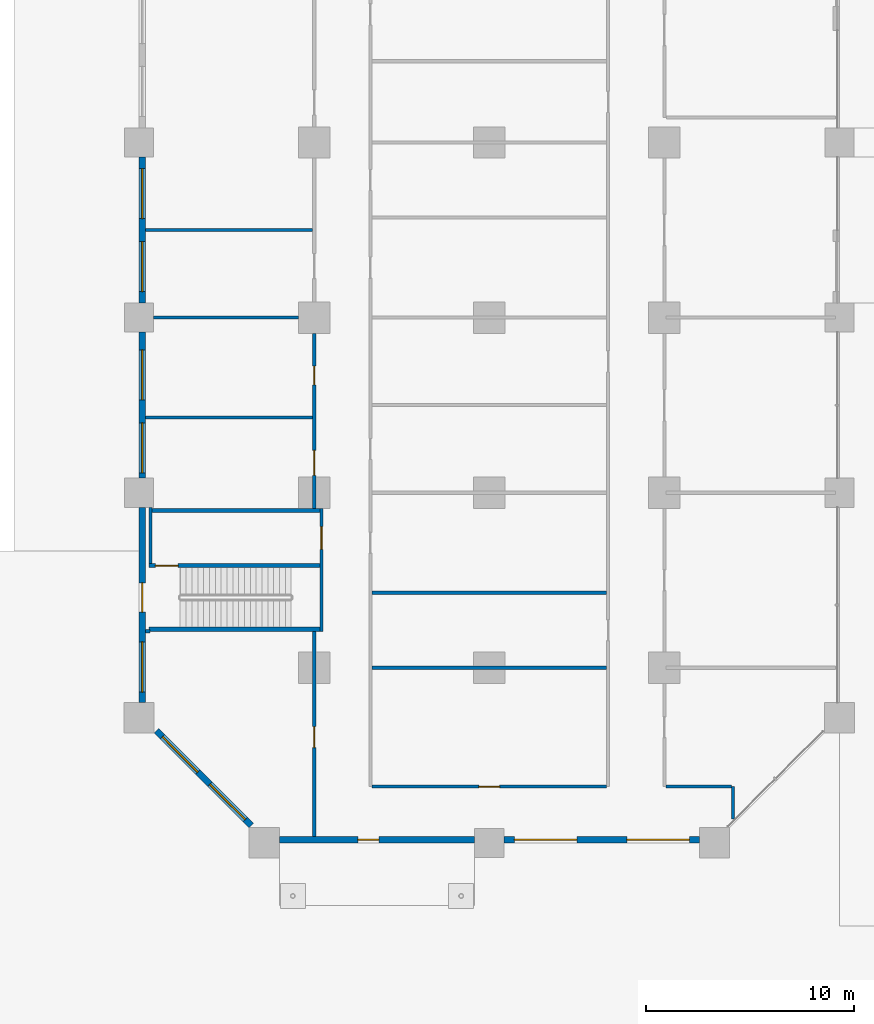
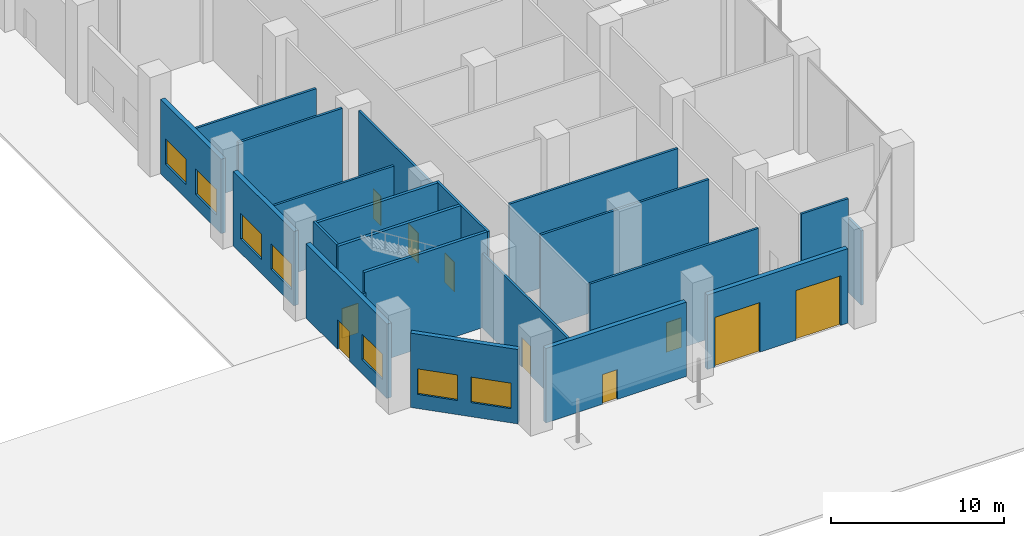
# One storey, part 14 of 32: 22 walls, 10 doors, 7 windows, 17 openings.
"""IFC4 building model written with IfcOpenShell, lengths in metres."""

from ifc_helpers import new_model, si_unit, direction, frame, frame_2d, origin, place, context, subcontext, project, spatial, rectangle, extrude, material, layer, layer_set, type_object, element, fill, save


model = new_model("IFC4")

# Units and contexts
model_context = context("Model", 3, precision=1e-05, world=origin(), true_north=direction((0.0, 1.0)))
body_context = subcontext(model_context, "Body", "Model", "MODEL_VIEW")
ifc_project = project(units=[si_unit("LENGTHUNIT", "METRE"), si_unit("AREAUNIT", "SQUARE_METRE"), si_unit("VOLUMEUNIT", "CUBIC_METRE"), si_unit("PLANEANGLEUNIT", "RADIAN"), si_unit("MASSUNIT", "GRAM", prefix="KILO")], contexts=[model_context])

# Site, building, storey
site_placement = place(None, origin())
site = spatial("IfcSite", under=ifc_project, at=site_placement, CompositionType="ELEMENT")
building_placement = place(site_placement, origin())
building = spatial("IfcBuilding", under=site, at=building_placement, Name="Kawkab Arch Medical Tower", CompositionType="ELEMENT")
storey_placement = place(building_placement, origin())
storey = spatial("IfcBuildingStorey", under=building, at=storey_placement, Name="L01", CompositionType="ELEMENT", Elevation=0.0)

# Wall, opening, door
ifc_material_1 = material(Name="Gypsum board partition on steel studs, mineral wool", Category="steel")
ifc_layer_1 = layer(ifc_material_1, 0.14990234375)
ifc_layer_set_1 = layer_set([ifc_layer_1], Name="Gypsum board partition on steel studs, mineral wool")
wall_type_1 = type_object("IfcWallType", Name="Partition 150", PredefinedType="PARTITIONING", material=ifc_layer_set_1)
wall_1_placement = place(storey_placement, frame((11.175048828125, -81.300048828125, 0.0), z_axis=(0.0, 0.0, 1.0), x_axis=(1.0, 0.0, 0.0)))
wall_1 = element("IfcWall", 1, at=wall_1_placement, inside=storey, type_object=wall_type_1, Name="Partition 150 w001", PredefinedType="PARTITIONING", context=body_context, shape_type="SweptSolid", body=[
    extrude(rectangle(XDim=11.25, YDim=0.14990234375, at=frame_2d((5.625, 0.0))), origin(), (0.0, 0.0, 1.0), 6.64990234375),
])
opening_1_placement = place(wall_1_placement, frame((5.125, 0.0, 0.0)))
opening_1 = element("IfcOpeningElement", 2, at=opening_1_placement, cuts=wall_1, Name="Opening P01-038", PredefinedType="OPENING", context=body_context, shape_type="SweptSolid", body=[
    extrude(rectangle(XDim=1.0, YDim=2.10009765625, at=frame_2d((0.5, 1.050048828125))), frame((0.0, 0.0849609375, 0.0), z_axis=(0.0, -1.0, 0.0), x_axis=(1.0, 0.0, 0.0)), (0.0, 0.0, 1.0), 0.169921875),
])
ifc_material_2 = material(Name="Hollow metal door leaf")
door_type_1 = type_object("IfcDoorType", Name="Single door 1000x2100 FD30S", OperationType="NOTDEFINED", PredefinedType="DOOR", material=ifc_material_2)
door_1_placement = place(opening_1_placement, origin())
door_1 = element("IfcDoor", 3, at=door_1_placement, inside=storey, type_object=door_type_1, Name="Door P01-038", OperationType="SINGLE_SWING_RIGHT", OverallHeight=2.10009765625, OverallWidth=1.0, PredefinedType="DOOR", context=body_context, shape_type="SweptSolid", body=[
    extrude(rectangle(XDim=1.0, YDim=2.10009765625, at=frame_2d((0.5, 1.050048828125))), frame((0.0, 0.02490234375, 0.0), z_axis=(0.0, -1.0, 0.0), x_axis=(1.0, 0.0, 0.0)), (0.0, 0.0, 1.0), 0.050048828125),
])
fill(opening_1, door_1)

# Walls
wall_2_placement = place(storey_placement, frame((25.27490234375, -81.300048828125, 0.0), z_axis=(0.0, 0.0, 1.0), x_axis=(1.0, 0.0, 0.0)))
element("IfcWall", 4, at=wall_2_placement, inside=storey, type_object=wall_type_1, Name="Partition 150 w002", PredefinedType="PARTITIONING", context=body_context, shape_type="SweptSolid", body=[
    extrude(rectangle(XDim=3.150146484375, YDim=0.14990234375, at=frame_2d((1.5751953125, 0.0))), origin(), (0.0, 0.0, 1.0), 6.64990234375),
])
wall_3_placement = place(storey_placement, frame((11.175048828125, -75.60009765625, 0.0), z_axis=(0.0, 0.0, 1.0), x_axis=(1.0, 0.0, 0.0)))
element("IfcWall", 5, at=wall_3_placement, inside=storey, type_object=wall_type_1, Name="Partition 150 w003", PredefinedType="PARTITIONING", context=body_context, shape_type="SweptSolid", body=[
    extrude(rectangle(XDim=11.25, YDim=0.14990234375, at=frame_2d((5.625, 0.0))), origin(), (0.0, 0.0, 1.0), 6.64990234375),
])
wall_4_placement = place(storey_placement, frame((0.300048828125, -73.85009765625, 0.0), z_axis=(0.0, 0.0, 1.0), x_axis=(1.0, 0.0, 0.0)))
element("IfcWall", 6, at=wall_4_placement, inside=storey, type_object=wall_type_1, Name="Partition 150 w005", PredefinedType="PARTITIONING", context=body_context, shape_type="SweptSolid", body=[
    extrude(rectangle(XDim=0.224853515625, YDim=0.14990234375, at=frame_2d((0.1123046875, 0.0))), origin(), (0.0, 0.0, 1.0), 5.25),
])
wall_5_placement = place(storey_placement, frame((11.175048828125, -72.0, 0.0), z_axis=(0.0, 0.0, 1.0), x_axis=(1.0, 0.0, 0.0)))
element("IfcWall", 7, at=wall_5_placement, inside=storey, type_object=wall_type_1, Name="Partition 150 w006", PredefinedType="PARTITIONING", context=body_context, shape_type="SweptSolid", body=[
    extrude(rectangle(XDim=11.25, YDim=0.14990234375, at=frame_2d((5.625, 0.0))), origin(), (0.0, 0.0, 1.0), 6.64990234375),
])
wall_6_placement = place(storey_placement, frame((0.300048828125, -63.60009765625, 0.0), z_axis=(0.0, 0.0, 1.0), x_axis=(1.0, 0.0, 0.0)))
element("IfcWall", 8, at=wall_6_placement, inside=storey, type_object=wall_type_1, Name="Partition 150 w009", PredefinedType="PARTITIONING", context=body_context, shape_type="SweptSolid", body=[
    extrude(rectangle(XDim=8.02490234375, YDim=0.14990234375, at=frame_2d((4.012451171875, 0.0))), origin(), (0.0, 0.0, 1.0), 5.25),
])
wall_7_placement = place(storey_placement, frame((0.699951171875, -58.800048828125, 0.0), z_axis=(0.0, 0.0, 1.0), x_axis=(1.0, 0.0, 0.0)))
element("IfcWall", 9, at=wall_7_placement, inside=storey, type_object=wall_type_1, Name="Partition 150 w011", PredefinedType="PARTITIONING", context=body_context, shape_type="SweptSolid", body=[
    extrude(rectangle(XDim=6.949951171875, YDim=0.14990234375, at=frame_2d((3.47509765625, 0.0))), origin(), (0.0, 0.0, 1.0), 6.64990234375),
])
wall_8_placement = place(storey_placement, frame((0.300048828125, -54.60009765625, 0.0), z_axis=(0.0, 0.0, 1.0), x_axis=(1.0, 0.0, 0.0)))
element("IfcWall", 10, at=wall_8_placement, inside=storey, type_object=wall_type_1, Name="Partition 150 w014", PredefinedType="PARTITIONING", context=body_context, shape_type="SweptSolid", body=[
    extrude(rectangle(XDim=8.02490234375, YDim=0.14990234375, at=frame_2d((4.012451171875, 0.0))), origin(), (0.0, 0.0, 1.0), 5.25),
])

# Wall, opening, door
wall_9_placement = place(storey_placement, frame((8.39990234375, -83.699951171875, 0.0), z_axis=(0.0, 0.0, 1.0), x_axis=(0.0, 1.0, 0.0)))
wall_9 = element("IfcWall", 11, at=wall_9_placement, inside=storey, type_object=wall_type_1, Name="Partition 150 w041", PredefinedType="PARTITIONING", context=body_context, shape_type="SweptSolid", body=[
    extrude(rectangle(XDim=9.849853515625, YDim=0.14990234375, at=frame_2d((4.9248046875, 0.0))), origin(), (0.0, 0.0, 1.0), 5.25),
])
opening_2_placement = place(wall_9_placement, frame((4.27490234375, 0.0, 0.0)))
opening_2 = element("IfcOpeningElement", 12, at=opening_2_placement, cuts=wall_9, Name="Opening P01-025", PredefinedType="OPENING", context=body_context, shape_type="SweptSolid", body=[
    extrude(rectangle(XDim=1.0, YDim=2.10009765625, at=frame_2d((0.5, 1.050048828125))), frame((0.0, 0.0849609375, 0.0), z_axis=(0.0, -1.0, 0.0), x_axis=(1.0, 0.0, 0.0)), (0.0, 0.0, 1.0), 0.169921875),
])
door_2_placement = place(opening_2_placement, origin())
door_2 = element("IfcDoor", 13, at=door_2_placement, inside=storey, type_object=door_type_1, Name="Door P01-025", OperationType="SINGLE_SWING_LEFT", OverallHeight=2.10009765625, OverallWidth=1.0, PredefinedType="DOOR", context=body_context, shape_type="SweptSolid", body=[
    extrude(rectangle(XDim=1.0, YDim=2.10009765625, at=frame_2d((0.5, 1.050048828125))), frame((0.0, 0.02490234375, 0.0), z_axis=(0.0, -1.0, 0.0), x_axis=(1.0, 0.0, 0.0)), (0.0, 0.0, 1.0), 0.050048828125),
])
fill(opening_2, door_2)

# Wall, openings, doors
wall_10_placement = place(storey_placement, frame((8.39990234375, -67.947021484375, 0.0), z_axis=(0.0, 0.0, 1.0), x_axis=(0.0, 1.0, 0.0)))
wall_10 = element("IfcWall", 14, at=wall_10_placement, inside=storey, type_object=wall_type_1, Name="Partition 150 w042", PredefinedType="PARTITIONING", context=body_context, shape_type="SweptSolid", body=[
    extrude(rectangle(XDim=8.39697265625, YDim=0.14990234375, at=frame_2d((4.198486328125, 0.0))), origin(), (0.0, 0.0, 1.0), 6.64990234375),
])
opening_3_placement = place(wall_10_placement, frame((5.922119140625, 0.0, 0.0)))
opening_3 = element("IfcOpeningElement", 15, at=opening_3_placement, cuts=wall_10, Name="Opening P01-016", PredefinedType="OPENING", context=body_context, shape_type="SweptSolid", body=[
    extrude(rectangle(XDim=0.89990234375, YDim=2.10009765625, at=frame_2d((0.449951171875, 1.050048828125))), frame((0.0, 0.0849609375, 0.0), z_axis=(0.0, -1.0, 0.0), x_axis=(1.0, 0.0, 0.0)), (0.0, 0.0, 1.0), 0.169921875),
])
opening_4_placement = place(wall_10_placement, frame((1.573974609375, 0.0, 0.0)))
opening_4 = element("IfcOpeningElement", 16, at=opening_4_placement, cuts=wall_10, Name="Opening P01-048", PredefinedType="OPENING", context=body_context, shape_type="SweptSolid", body=[
    extrude(rectangle(XDim=1.199951171875, YDim=2.10009765625, at=frame_2d((0.60009765625, 1.050048828125))), frame((0.0, 0.0849609375, 0.0), z_axis=(0.0, -1.0, 0.0), x_axis=(1.0, 0.0, 0.0)), (0.0, 0.0, 1.0), 0.169921875),
])
ifc_material_3 = material(Name="Hollow metal door leaf")
door_type_2 = type_object("IfcDoorType", Name="Single door 1200x2100 FD30S", OperationType="NOTDEFINED", PredefinedType="DOOR", material=ifc_material_3)
door_3_placement = place(opening_4_placement, origin())
door_3 = element("IfcDoor", 17, at=door_3_placement, inside=storey, type_object=door_type_2, Name="Door P01-048", OperationType="SINGLE_SWING_LEFT", OverallHeight=2.10009765625, OverallWidth=1.199951171875, PredefinedType="DOOR", context=body_context, shape_type="SweptSolid", body=[
    extrude(rectangle(XDim=1.199951171875, YDim=2.10009765625, at=frame_2d((0.60009765625, 1.050048828125))), frame((0.0, 0.02490234375, 0.0), z_axis=(0.0, -1.0, 0.0), x_axis=(1.0, 0.0, 0.0)), (0.0, 0.0, 1.0), 0.050048828125),
])
fill(opening_4, door_3)
ifc_material_4 = material(Name="Timber door leaf", Category="wood")
door_type_3 = type_object("IfcDoorType", Name="Single door 900x2100", OperationType="NOTDEFINED", PredefinedType="DOOR", material=ifc_material_4)
door_4_placement = place(opening_3_placement, origin())
door_4 = element("IfcDoor", 18, at=door_4_placement, inside=storey, type_object=door_type_3, Name="Door P01-016", OperationType="SINGLE_SWING_RIGHT", OverallHeight=2.10009765625, OverallWidth=0.89990234375, PredefinedType="DOOR", context=body_context, shape_type="SweptSolid", body=[
    extrude(rectangle(XDim=0.89990234375, YDim=2.10009765625, at=frame_2d((0.449951171875, 1.050048828125))), frame((0.0, 0.02490234375, 0.0), z_axis=(0.0, -1.0, 0.0), x_axis=(1.0, 0.0, 0.0)), (0.0, 0.0, 1.0), 0.050048828125),
])
fill(opening_3, door_4)

# Wall
wall_11_placement = place(storey_placement, frame((28.5, -82.844970703125, 0.0), z_axis=(0.0, 0.0, 1.0), x_axis=(0.0, 1.0, 0.0)))
element("IfcWall", 19, at=wall_11_placement, inside=storey, type_object=wall_type_1, Name="Partition 150 w050", PredefinedType="PARTITIONING", context=body_context, shape_type="SweptSolid", body=[
    extrude(rectangle(XDim=1.544921875, YDim=0.14990234375, at=frame_2d((0.7724609375, 0.0))), origin(), (0.0, 0.0, 1.0), 5.25),
])

# Wall, openings, windows
ifc_material_5 = material(Name="Bronze clad insulated wall panel")
ifc_layer_2 = layer(ifc_material_5, 0.300048828125)
ifc_layer_set_2 = layer_set([ifc_layer_2], Name="Bronze clad insulated wall panel")
wall_type_2 = type_object("IfcWallType", Name="Podium external wall 300", PredefinedType="SOLIDWALL", material=ifc_layer_set_2)
wall_12_placement = place(storey_placement, frame((0.14990234375, -51.10009765625, 0.0), z_axis=(0.0, 0.0, 1.0), x_axis=(0.0, -1.0, 0.0)))
wall_12 = element("IfcWall", 20, at=wall_12_placement, inside=storey, type_object=wall_type_2, Name="External wall L01 R11.6", PredefinedType="SOLIDWALL", context=body_context, shape_type="SweptSolid", body=[
    extrude(rectangle(XDim=7.0, YDim=0.300048828125, at=frame_2d((3.5, 0.0))), origin(), (0.0, 0.0, 1.0), 5.25),
])
opening_5_placement = place(wall_12_placement, frame((0.550048828125, 0.0, 1.0)))
opening_5 = element("IfcOpeningElement", 21, at=opening_5_placement, cuts=wall_12, Name="Opening PWN240-18-S10", PredefinedType="OPENING", context=body_context, shape_type="SweptSolid", body=[
    extrude(rectangle(XDim=2.39990234375, YDim=1.800048828125, at=frame_2d((1.199951171875, 0.89990234375))), frame((0.0, 0.159912109375, 0.0), z_axis=(0.0, -1.0, 0.0), x_axis=(1.0, 0.0, 0.0)), (0.0, 0.0, 1.0), 0.320068359375),
])
opening_6_placement = place(wall_12_placement, frame((4.050048828125, 0.0, 1.0)))
opening_6 = element("IfcOpeningElement", 22, at=opening_6_placement, cuts=wall_12, Name="Opening PWN240-18-S10", PredefinedType="OPENING", context=body_context, shape_type="SweptSolid", body=[
    extrude(rectangle(XDim=2.39990234375, YDim=1.800048828125, at=frame_2d((1.199951171875, 0.89990234375))), frame((0.0, 0.159912109375, 0.0), z_axis=(0.0, -1.0, 0.0), x_axis=(1.0, 0.0, 0.0)), (0.0, 0.0, 1.0), 0.320068359375),
])
ifc_material_6 = material(Name="Bronze anodised aluminium louvred window", Category="aluminium")
window_type = type_object("IfcWindowType", Name="Podium window 2400 x 1800 sill 1000", PartitioningType="DOUBLE_PANEL_VERTICAL", PredefinedType="WINDOW", material=ifc_material_6)
window_1_placement = place(opening_5_placement, origin())
window_1 = element("IfcWindow", 23, at=window_1_placement, inside=storey, type_object=window_type, Name="Window L01 R11.6.1", OverallHeight=1.800048828125, OverallWidth=2.39990234375, PartitioningType="SINGLE_PANEL", PredefinedType="WINDOW", context=body_context, shape_type="SweptSolid", body=[
    extrude(rectangle(XDim=2.39990234375, YDim=1.800048828125, at=frame_2d((1.199951171875, 0.89990234375))), frame((0.0, 0.030029296875, 0.0), z_axis=(0.0, -1.0, 0.0), x_axis=(1.0, 0.0, 0.0)), (0.0, 0.0, 1.0), 0.06005859375),
])
fill(opening_5, window_1)
window_2_placement = place(opening_6_placement, origin())
window_2 = element("IfcWindow", 24, at=window_2_placement, inside=storey, type_object=window_type, Name="Window L01 R11.6.2", OverallHeight=1.800048828125, OverallWidth=2.39990234375, PartitioningType="SINGLE_PANEL", PredefinedType="WINDOW", context=body_context, shape_type="SweptSolid", body=[
    extrude(rectangle(XDim=2.39990234375, YDim=1.800048828125, at=frame_2d((1.199951171875, 0.89990234375))), frame((0.0, 0.030029296875, 0.0), z_axis=(0.0, -1.0, 0.0), x_axis=(1.0, 0.0, 0.0)), (0.0, 0.0, 1.0), 0.06005859375),
])
fill(opening_6, window_2)

wall_13_placement = place(storey_placement, frame((0.14990234375, -59.5, 0.0), z_axis=(0.0, 0.0, 1.0), x_axis=(0.0, -1.0, 0.0)))
wall_13 = element("IfcWall", 25, at=wall_13_placement, inside=storey, type_object=wall_type_2, Name="External wall L01 R11.7", PredefinedType="SOLIDWALL", context=body_context, shape_type="SweptSolid", body=[
    extrude(rectangle(XDim=7.0, YDim=0.300048828125, at=frame_2d((3.5, 0.0))), origin(), (0.0, 0.0, 1.0), 5.25),
])
opening_7_placement = place(wall_13_placement, frame((0.85009765625, 0.0, 1.0)))
opening_7 = element("IfcOpeningElement", 26, at=opening_7_placement, cuts=wall_13, Name="Opening PWN240-18-S10", PredefinedType="OPENING", context=body_context, shape_type="SweptSolid", body=[
    extrude(rectangle(XDim=2.39990234375, YDim=1.800048828125, at=frame_2d((1.199951171875, 0.89990234375))), frame((0.0, 0.159912109375, 0.0), z_axis=(0.0, -1.0, 0.0), x_axis=(1.0, 0.0, 0.0)), (0.0, 0.0, 1.0), 0.320068359375),
])
opening_8_placement = place(wall_13_placement, frame((4.35009765625, 0.0, 1.0)))
opening_8 = element("IfcOpeningElement", 27, at=opening_8_placement, cuts=wall_13, Name="Opening PWN240-18-S10", PredefinedType="OPENING", context=body_context, shape_type="SweptSolid", body=[
    extrude(rectangle(XDim=2.39990234375, YDim=1.800048828125, at=frame_2d((1.199951171875, 0.89990234375))), frame((0.0, 0.159912109375, 0.0), z_axis=(0.0, -1.0, 0.0), x_axis=(1.0, 0.0, 0.0)), (0.0, 0.0, 1.0), 0.320068359375),
])
window_3_placement = place(opening_7_placement, origin())
window_3 = element("IfcWindow", 28, at=window_3_placement, inside=storey, type_object=window_type, Name="Window L01 R11.7.1", OverallHeight=1.800048828125, OverallWidth=2.39990234375, PartitioningType="SINGLE_PANEL", PredefinedType="WINDOW", context=body_context, shape_type="SweptSolid", body=[
    extrude(rectangle(XDim=2.39990234375, YDim=1.800048828125, at=frame_2d((1.199951171875, 0.89990234375))), frame((0.0, 0.030029296875, 0.0), z_axis=(0.0, -1.0, 0.0), x_axis=(1.0, 0.0, 0.0)), (0.0, 0.0, 1.0), 0.06005859375),
])
fill(opening_7, window_3)
window_4_placement = place(opening_8_placement, origin())
window_4 = element("IfcWindow", 29, at=window_4_placement, inside=storey, type_object=window_type, Name="Window L01 R11.7.2", OverallHeight=1.800048828125, OverallWidth=2.39990234375, PartitioningType="SINGLE_PANEL", PredefinedType="WINDOW", context=body_context, shape_type="SweptSolid", body=[
    extrude(rectangle(XDim=2.39990234375, YDim=1.800048828125, at=frame_2d((1.199951171875, 0.89990234375))), frame((0.0, 0.030029296875, 0.0), z_axis=(0.0, -1.0, 0.0), x_axis=(1.0, 0.0, 0.0)), (0.0, 0.0, 1.0), 0.06005859375),
])
fill(opening_8, window_4)

# Wall, openings, window, door
wall_14_placement = place(storey_placement, frame((0.14990234375, -67.89990234375, 0.0), z_axis=(0.0, 0.0, 1.0), x_axis=(0.0, -1.0, 0.0)))
wall_14 = element("IfcWall", 30, at=wall_14_placement, inside=storey, type_object=wall_type_2, Name="External wall L01 R11.8", PredefinedType="SOLIDWALL", context=body_context, shape_type="SweptSolid", body=[
    extrude(rectangle(XDim=9.375, YDim=0.300048828125, at=frame_2d((4.6875, 0.0))), origin(), (0.0, 0.0, 1.0), 5.25),
])
opening_9_placement = place(wall_14_placement, frame((3.625, 0.0, 0.0)))
opening_9 = element("IfcOpeningElement", 31, at=opening_9_placement, cuts=wall_14, Name="Opening P01-510", PredefinedType="OPENING", context=body_context, shape_type="SweptSolid", body=[
    extrude(rectangle(XDim=1.39990234375, YDim=2.10009765625, at=frame_2d((0.699951171875, 1.050048828125))), frame((0.0, 0.159912109375, 0.0), z_axis=(0.0, -1.0, 0.0), x_axis=(1.0, 0.0, 0.0)), (0.0, 0.0, 1.0), 0.320068359375),
])
opening_10_placement = place(wall_14_placement, frame((6.46240234375, 0.0, 1.0)))
opening_10 = element("IfcOpeningElement", 32, at=opening_10_placement, cuts=wall_14, Name="Opening PWN240-18-S10", PredefinedType="OPENING", context=body_context, shape_type="SweptSolid", body=[
    extrude(rectangle(XDim=2.39990234375, YDim=1.800048828125, at=frame_2d((1.199951171875, 0.89990234375))), frame((0.0, 0.159912109375, 0.0), z_axis=(0.0, -1.0, 0.0), x_axis=(1.0, 0.0, 0.0)), (0.0, 0.0, 1.0), 0.320068359375),
])
window_5_placement = place(opening_10_placement, origin())
window_5 = element("IfcWindow", 33, at=window_5_placement, inside=storey, type_object=window_type, Name="Window L01 R11.8.2", OverallHeight=1.800048828125, OverallWidth=2.39990234375, PartitioningType="SINGLE_PANEL", PredefinedType="WINDOW", context=body_context, shape_type="SweptSolid", body=[
    extrude(rectangle(XDim=2.39990234375, YDim=1.800048828125, at=frame_2d((1.199951171875, 0.89990234375))), frame((0.0, 0.030029296875, 0.0), z_axis=(0.0, -1.0, 0.0), x_axis=(1.0, 0.0, 0.0)), (0.0, 0.0, 1.0), 0.06005859375),
])
fill(opening_10, window_5)
ifc_material_7 = material(Name="Insulated steel door", Category="steel")
door_type_4 = type_object("IfcDoorType", Name="Stair discharge door 1400 x 2100", OperationType="DOUBLE_DOOR_SINGLE_SWING", PredefinedType="DOOR", material=ifc_material_7)
door_5_placement = place(opening_9_placement, frame((1.39990234375, 0.0, 0.0), z_axis=(0.0, 0.0, 1.0), x_axis=(-1.0, 0.0, 0.0)))
door_5 = element("IfcDoor", 34, at=door_5_placement, inside=storey, type_object=door_type_4, Name="Exit stair ST10 discharge", OperationType="DOUBLE_DOOR_SINGLE_SWING", OverallHeight=2.10009765625, OverallWidth=1.39990234375, PredefinedType="DOOR", context=body_context, shape_type="SweptSolid", body=[
    extrude(rectangle(XDim=1.39990234375, YDim=2.10009765625, at=frame_2d((0.699951171875, 1.050048828125))), frame((0.0, 0.02490234375, 0.0), z_axis=(0.0, -1.0, 0.0), x_axis=(1.0, 0.0, 0.0)), (0.0, 0.0, 1.0), 0.050048828125),
])
fill(opening_9, door_5)

# Wall, openings, windows
wall_15_placement = place(storey_placement, frame((0.8310546875, -78.618896484375, 0.0), z_axis=(0.0, 0.0, 1.0), x_axis=(0.707106781187, -0.707106781187, 0.0)))
wall_15 = element("IfcWall", 35, at=wall_15_placement, inside=storey, type_object=wall_type_2, Name="External wall L01 R12.1", PredefinedType="SOLIDWALL", context=body_context, shape_type="SweptSolid", body=[
    extrude(rectangle(XDim=6.434814453125, YDim=0.300048828125, at=frame_2d((3.21728515625, 0.0))), origin(), (0.0, 0.0, 1.0), 5.25),
])
opening_11_placement = place(wall_15_placement, frame((0.40869140625, 0.0, 1.0)))
opening_11 = element("IfcOpeningElement", 36, at=opening_11_placement, cuts=wall_15, Name="Opening PWN240-18-S10", PredefinedType="OPENING", context=body_context, shape_type="SweptSolid", body=[
    extrude(rectangle(XDim=2.39990234375, YDim=1.800048828125, at=frame_2d((1.199951171875, 0.89990234375))), frame((0.0, 0.159912109375, 0.0), z_axis=(0.0, -1.0, 0.0), x_axis=(1.0, 0.0, 0.0)), (0.0, 0.0, 1.0), 0.320068359375),
])
opening_12_placement = place(wall_15_placement, frame((3.6259765625, 0.0, 1.0)))
opening_12 = element("IfcOpeningElement", 37, at=opening_12_placement, cuts=wall_15, Name="Opening PWN240-18-S10", PredefinedType="OPENING", context=body_context, shape_type="SweptSolid", body=[
    extrude(rectangle(XDim=2.39990234375, YDim=1.800048828125, at=frame_2d((1.199951171875, 0.89990234375))), frame((0.0, 0.159912109375, 0.0), z_axis=(0.0, -1.0, 0.0), x_axis=(1.0, 0.0, 0.0)), (0.0, 0.0, 1.0), 0.320068359375),
])
window_6_placement = place(opening_11_placement, origin())
window_6 = element("IfcWindow", 38, at=window_6_placement, inside=storey, type_object=window_type, Name="Window L01 R12.1.1", OverallHeight=1.800048828125, OverallWidth=2.39990234375, PartitioningType="SINGLE_PANEL", PredefinedType="WINDOW", context=body_context, shape_type="SweptSolid", body=[
    extrude(rectangle(XDim=2.39990234375, YDim=1.800048828125, at=frame_2d((1.199951171875, 0.89990234375))), frame((0.0, 0.030029296875, 0.0), z_axis=(0.0, -1.0, 0.0), x_axis=(1.0, 0.0, 0.0)), (0.0, 0.0, 1.0), 0.06005859375),
])
fill(opening_11, window_6)
window_7_placement = place(opening_12_placement, origin())
window_7 = element("IfcWindow", 39, at=window_7_placement, inside=storey, type_object=window_type, Name="Window L01 R12.1.2", OverallHeight=1.800048828125, OverallWidth=2.39990234375, PartitioningType="SINGLE_PANEL", PredefinedType="WINDOW", context=body_context, shape_type="SweptSolid", body=[
    extrude(rectangle(XDim=2.39990234375, YDim=1.800048828125, at=frame_2d((1.199951171875, 0.89990234375))), frame((0.0, 0.030029296875, 0.0), z_axis=(0.0, -1.0, 0.0), x_axis=(1.0, 0.0, 0.0)), (0.0, 0.0, 1.0), 0.06005859375),
])
fill(opening_12, window_7)

# Wall, opening, door
wall_16_placement = place(storey_placement, frame((6.72509765625, -83.85009765625, 0.0), z_axis=(0.0, 0.0, 1.0), x_axis=(1.0, 0.0, 0.0)))
wall_16 = element("IfcWall", 40, at=wall_16_placement, inside=storey, type_object=wall_type_2, Name="External wall L01 R13.1", PredefinedType="SOLIDWALL", context=body_context, shape_type="SweptSolid", body=[
    extrude(rectangle(XDim=9.375, YDim=0.300048828125, at=frame_2d((4.6875, 0.0))), origin(), (0.0, 0.0, 1.0), 5.25),
])
opening_13_placement = place(wall_16_placement, frame((3.77490234375, 0.0, 0.0)))
opening_13 = element("IfcOpeningElement", 41, at=opening_13_placement, cuts=wall_16, Name="Opening P01-511", PredefinedType="OPENING", context=body_context, shape_type="SweptSolid", body=[
    extrude(rectangle(XDim=1.0, YDim=2.10009765625, at=frame_2d((0.5, 1.050048828125))), frame((0.0, 0.159912109375, 0.0), z_axis=(0.0, -1.0, 0.0), x_axis=(1.0, 0.0, 0.0)), (0.0, 0.0, 1.0), 0.320068359375),
])
ifc_material_8 = material(Name="Insulated steel door", Category="steel")
door_type_5 = type_object("IfcDoorType", Name="Staff entrance door 1000 x 2100", OperationType="SINGLE_SWING_LEFT", PredefinedType="DOOR", material=ifc_material_8)
door_6_placement = place(opening_13_placement, origin())
door_6 = element("IfcDoor", 42, at=door_6_placement, inside=storey, type_object=door_type_5, Name="Staff entrance", OperationType="SINGLE_SWING_LEFT", OverallHeight=2.10009765625, OverallWidth=1.0, PredefinedType="DOOR", context=body_context, shape_type="SweptSolid", body=[
    extrude(rectangle(XDim=1.0, YDim=2.10009765625, at=frame_2d((0.5, 1.050048828125))), frame((0.0, 0.02490234375, 0.0), z_axis=(0.0, -1.0, 0.0), x_axis=(1.0, 0.0, 0.0)), (0.0, 0.0, 1.0), 0.050048828125),
])
fill(opening_13, door_6)

# Wall, openings, doors
wall_17_placement = place(storey_placement, frame((17.5, -83.85009765625, 0.0), z_axis=(0.0, 0.0, 1.0), x_axis=(1.0, 0.0, 0.0)))
wall_17 = element("IfcWall", 43, at=wall_17_placement, inside=storey, type_object=wall_type_2, Name="External wall L01 R13.2", PredefinedType="SOLIDWALL", context=body_context, shape_type="SweptSolid", body=[
    extrude(rectangle(XDim=9.375, YDim=0.300048828125, at=frame_2d((4.6875, 0.0))), origin(), (0.0, 0.0, 1.0), 5.25),
])
opening_14_placement = place(wall_17_placement, frame((0.5, 0.0, 0.0)))
opening_14 = element("IfcOpeningElement", 44, at=opening_14_placement, cuts=wall_17, Name="Opening P01-512", PredefinedType="OPENING", context=body_context, shape_type="SweptSolid", body=[
    extrude(rectangle(XDim=3.0, YDim=3.5, at=frame_2d((1.5, 1.75))), frame((0.0, 0.159912109375, 0.0), z_axis=(0.0, -1.0, 0.0), x_axis=(1.0, 0.0, 0.0)), (0.0, 0.0, 1.0), 0.320068359375),
])
opening_15_placement = place(wall_17_placement, frame((5.89990234375, 0.0, 0.0)))
opening_15 = element("IfcOpeningElement", 45, at=opening_15_placement, cuts=wall_17, Name="Opening P01-513", PredefinedType="OPENING", context=body_context, shape_type="SweptSolid", body=[
    extrude(rectangle(XDim=3.0, YDim=3.5, at=frame_2d((1.5, 1.75))), frame((0.0, 0.159912109375, 0.0), z_axis=(0.0, -1.0, 0.0), x_axis=(1.0, 0.0, 0.0)), (0.0, 0.0, 1.0), 0.320068359375),
])
ifc_material_9 = material(Name="Insulated steel door", Category="steel")
door_type_6 = type_object("IfcDoorType", Name="Loading dock door 3000 x 3500", OperationType="ROLLINGUP", PredefinedType="DOOR", material=ifc_material_9)
door_7_placement = place(opening_14_placement, origin())
door_7 = element("IfcDoor", 46, at=door_7_placement, inside=storey, type_object=door_type_6, Name="Goods entrance and loading dock 1", OperationType="ROLLINGUP", OverallHeight=3.5, OverallWidth=3.0, PredefinedType="DOOR", context=body_context, shape_type="SweptSolid", body=[
    extrude(rectangle(XDim=3.0, YDim=3.5, at=frame_2d((1.5, 1.75))), frame((0.0, 0.02490234375, 0.0), z_axis=(0.0, -1.0, 0.0), x_axis=(1.0, 0.0, 0.0)), (0.0, 0.0, 1.0), 0.050048828125),
])
fill(opening_14, door_7)
door_8_placement = place(opening_15_placement, origin())
door_8 = element("IfcDoor", 47, at=door_8_placement, inside=storey, type_object=door_type_6, Name="Goods entrance and loading dock 2", OperationType="ROLLINGUP", OverallHeight=3.5, OverallWidth=3.0, PredefinedType="DOOR", context=body_context, shape_type="SweptSolid", body=[
    extrude(rectangle(XDim=3.0, YDim=3.5, at=frame_2d((1.5, 1.75))), frame((0.0, 0.02490234375, 0.0), z_axis=(0.0, -1.0, 0.0), x_axis=(1.0, 0.0, 0.0)), (0.0, 0.0, 1.0), 0.050048828125),
])
fill(opening_15, door_8)

# Wall
ifc_material_10 = material(Name="Concrete C50/60", Category="concrete")
ifc_layer_3 = layer(ifc_material_10, 0.14990234375)
ifc_layer_set_3 = layer_set([ifc_layer_3], Name="Concrete C50/60")
wall_type_3 = type_object("IfcWallType", Name="Stair enclosure wall 150 C50/60", PredefinedType="SHEAR", material=ifc_layer_set_3)
wall_18_placement = place(storey_placement, frame((0.550048828125, -70.60009765625, 0.0), z_axis=(0.0, 0.0, 1.0), x_axis=(0.0, 1.0, 0.0)))
element("IfcWall", 48, at=wall_18_placement, inside=storey, type_object=wall_type_3, Name="L01 stair enclosure wall", PredefinedType="SHEAR", context=body_context, shape_type="SweptSolid", body=[
    extrude(rectangle(XDim=2.7001953125, YDim=0.14990234375, at=frame_2d((1.35009765625, 0.0))), origin(), (0.0, 0.0, 1.0), 6.64990234375),
])

# Wall, opening, door
wall_19_placement = place(storey_placement, frame((8.75, -73.85009765625, 0.0), z_axis=(0.0, 0.0, 1.0), x_axis=(0.0, 1.0, 0.0)))
wall_19 = element("IfcWall", 49, at=wall_19_placement, inside=storey, type_object=wall_type_3, Name="L01 stair enclosure wall", PredefinedType="SHEAR", context=body_context, shape_type="SweptSolid", body=[
    extrude(rectangle(XDim=5.900146484375, YDim=0.14990234375, at=frame_2d((2.9501953125, 0.0))), origin(), (0.0, 0.0, 1.0), 6.64990234375),
])
opening_16_placement = place(wall_19_placement, frame((3.925048828125, 0.0, 0.0)))
opening_16 = element("IfcOpeningElement", 50, at=opening_16_placement, cuts=wall_19, Name="Opening SD", PredefinedType="OPENING", context=body_context, shape_type="SweptSolid", body=[
    extrude(rectangle(XDim=1.10009765625, YDim=2.10009765625, at=frame_2d((0.550048828125, 1.050048828125))), frame((0.0, 0.0849609375, 0.0), z_axis=(0.0, -1.0, 0.0), x_axis=(1.0, 0.0, 0.0)), (0.0, 0.0, 1.0), 0.169921875),
])
ifc_material_11 = material(Name="Hollow metal fire door leaf")
door_type_7 = type_object("IfcDoorType", Name="Exit stair door 1100", OperationType="SINGLE_SWING_LEFT", PredefinedType="DOOR", material=ifc_material_11)
door_9_placement = place(opening_16_placement, origin())
door_9 = element("IfcDoor", 51, at=door_9_placement, inside=storey, type_object=door_type_7, Name="L01 Exit stair ST10 lobby door", OperationType="SINGLE_SWING_LEFT", OverallHeight=2.10009765625, OverallWidth=1.10009765625, PredefinedType="DOOR", context=body_context, shape_type="SweptSolid", body=[
    extrude(rectangle(XDim=1.10009765625, YDim=2.10009765625, at=frame_2d((0.550048828125, 1.050048828125))), frame((0.0, 0.02490234375, 0.0), z_axis=(0.0, -1.0, 0.0), x_axis=(1.0, 0.0, 0.0)), (0.0, 0.0, 1.0), 0.050048828125),
])
fill(opening_16, door_9)

# Wall
ifc_material_12 = material(Name="Concrete C50/60", Category="concrete")
ifc_layer_4 = layer(ifc_material_12, 0.199951171875)
ifc_layer_set_4 = layer_set([ifc_layer_4], Name="Concrete C50/60")
wall_type_4 = type_object("IfcWallType", Name="Stair enclosure wall 200 C50/60", PredefinedType="SHEAR", material=ifc_layer_set_4)
wall_20_placement = place(storey_placement, frame((0.47509765625, -73.75, 0.0), z_axis=(0.0, 0.0, 1.0), x_axis=(1.0, 0.0, 0.0)))
element("IfcWall", 52, at=wall_20_placement, inside=storey, type_object=wall_type_4, Name="L01 stair enclosure wall", PredefinedType="SHEAR", context=body_context, shape_type="SweptSolid", body=[
    extrude(rectangle(XDim=8.199951171875, YDim=0.199951171875, at=frame_2d((4.10009765625, 0.0))), origin(), (0.0, 0.0, 1.0), 6.64990234375),
])

# Wall, opening, door
wall_21_placement = place(storey_placement, frame((0.47509765625, -70.699951171875, 0.0), z_axis=(0.0, 0.0, 1.0), x_axis=(1.0, 0.0, 0.0)))
wall_21 = element("IfcWall", 53, at=wall_21_placement, inside=storey, type_object=wall_type_4, Name="L01 stair enclosure wall", PredefinedType="SHEAR", context=body_context, shape_type="SweptSolid", body=[
    extrude(rectangle(XDim=8.199951171875, YDim=0.199951171875, at=frame_2d((4.10009765625, 0.0))), origin(), (0.0, 0.0, 1.0), 6.64990234375),
])
opening_17_placement = place(wall_21_placement, frame((0.300048828125, 0.0, 0.0)))
opening_17 = element("IfcOpeningElement", 54, at=opening_17_placement, cuts=wall_21, Name="Opening SD", PredefinedType="OPENING", context=body_context, shape_type="SweptSolid", body=[
    extrude(rectangle(XDim=1.10009765625, YDim=2.10009765625, at=frame_2d((0.550048828125, 1.050048828125))), frame((0.0, 0.10986328125, 0.0), z_axis=(0.0, -1.0, 0.0), x_axis=(1.0, 0.0, 0.0)), (0.0, 0.0, 1.0), 0.219970703125),
])
door_10_placement = place(opening_17_placement, frame((1.10009765625, 0.0, 0.0), z_axis=(0.0, 0.0, 1.0), x_axis=(-1.0, 0.0, 0.0)))
door_10 = element("IfcDoor", 55, at=door_10_placement, inside=storey, type_object=door_type_7, Name="L01 Exit stair ST10 door", OperationType="SINGLE_SWING_LEFT", OverallHeight=2.10009765625, OverallWidth=1.10009765625, PredefinedType="DOOR", context=body_context, shape_type="SweptSolid", body=[
    extrude(rectangle(XDim=1.10009765625, YDim=2.10009765625, at=frame_2d((0.550048828125, 1.050048828125))), frame((0.0, 0.02490234375, 0.0), z_axis=(0.0, -1.0, 0.0), x_axis=(1.0, 0.0, 0.0)), (0.0, 0.0, 1.0), 0.050048828125),
])
fill(opening_17, door_10)

# Wall
wall_22_placement = place(storey_placement, frame((0.625, -68.050048828125, 0.0), z_axis=(0.0, 0.0, 1.0), x_axis=(1.0, 0.0, 0.0)))
element("IfcWall", 56, at=wall_22_placement, inside=storey, type_object=wall_type_4, Name="L01 stair enclosure wall", PredefinedType="SHEAR", context=body_context, shape_type="SweptSolid", body=[
    extrude(rectangle(XDim=8.050048828125, YDim=0.199951171875, at=frame_2d((4.02490234375, 0.0))), origin(), (0.0, 0.0, 1.0), 6.64990234375),
])

save(model, "model.ifc")
